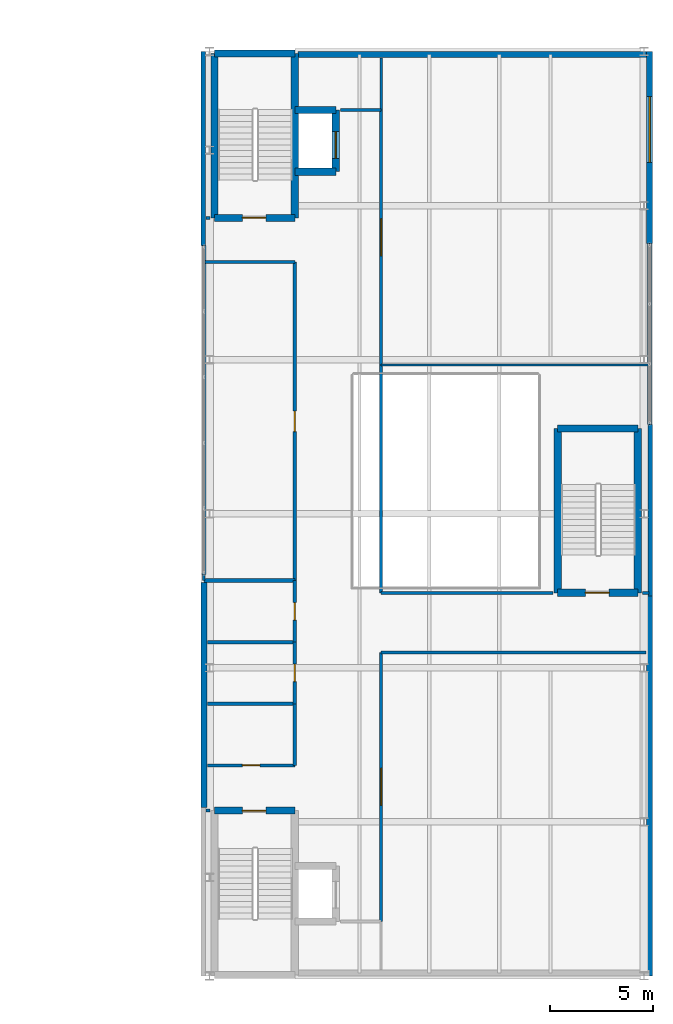
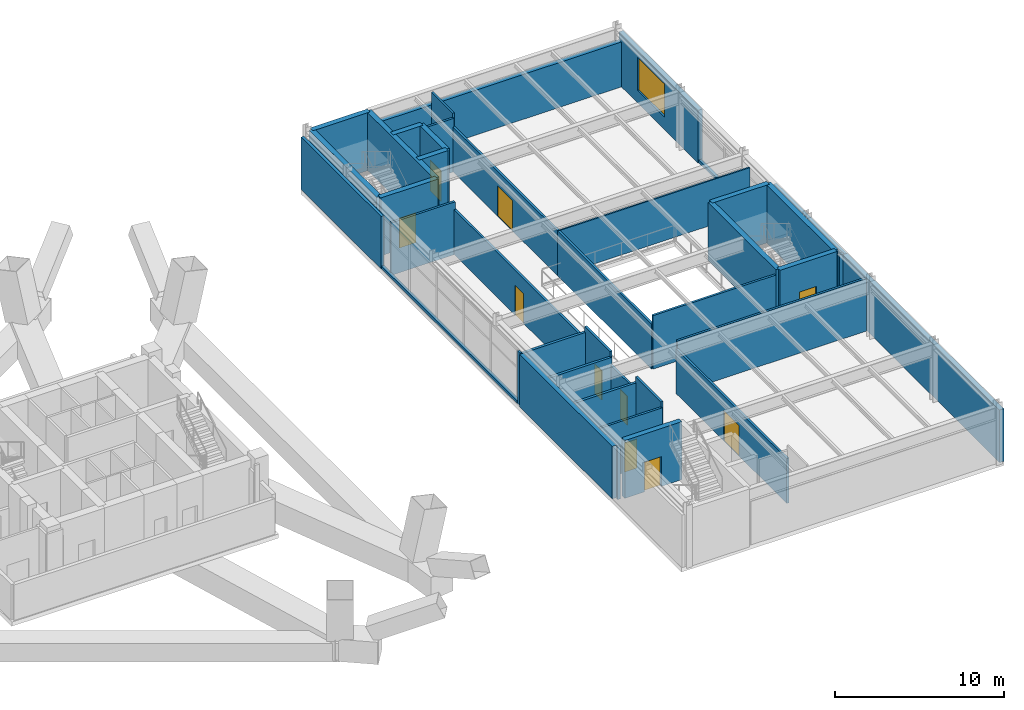
# One storey, part 13 of 16: 41 walls, 10 doors, 1 window, 11 openings.
"""IFC4 building model written with IfcOpenShell, lengths in metres."""

from ifc_helpers import new_model, si_unit, direction, frame, frame_2d, origin, place, context, subcontext, project, spatial, rectangle, extrude, material, layer, layer_set, type_object, element, fill, save


model = new_model("IFC4")

# Units and contexts
model_context = context("Model", 3, precision=1e-05, world=origin(), true_north=direction((0.0, 1.0)))
body_context = subcontext(model_context, "Body", "Model", "MODEL_VIEW")
ifc_project = project(units=[si_unit("LENGTHUNIT", "METRE"), si_unit("AREAUNIT", "SQUARE_METRE"), si_unit("VOLUMEUNIT", "CUBIC_METRE"), si_unit("PLANEANGLEUNIT", "RADIAN"), si_unit("MASSUNIT", "GRAM", prefix="KILO")], contexts=[model_context])

# Site, building, storey
site_placement = place(None, origin())
site = spatial("IfcSite", under=ifc_project, at=site_placement, CompositionType="ELEMENT")
building_placement = place(site_placement, origin())
building = spatial("IfcBuilding", under=site, at=building_placement, Name="Mersakhor Tower and Convention Hall", CompositionType="ELEMENT")
storey_placement = place(building_placement, frame((0.0, 0.0, 5.10009765625)))
storey = spatial("IfcBuildingStorey", under=building, at=storey_placement, Name="L01", CompositionType="ELEMENT", Elevation=5.10009765625)

# Walls
ifc_material_1 = material(Name="Precast concrete C45/55", Category="concrete")
ifc_layer_1 = layer(ifc_material_1, 0.300048828125)
ifc_layer_set_1 = layer_set([ifc_layer_1], Name="Precast concrete C45/55")
wall_type_1 = type_object("IfcWallType", Name="WL-EXT-300", PredefinedType="SOLIDWALL", material=ifc_layer_set_1)
wall_1_placement = place(storey_placement, frame((55.22509765625, 11.449951171875, 0.0), z_axis=(0.0, 0.0, 1.0), x_axis=(0.0, 1.0, 0.0)))
element("IfcWall", 1, at=wall_1_placement, inside=storey, type_object=wall_type_1, Name="Convention L01 Precast Facade Wall W1", PredefinedType="SOLIDWALL", context=body_context, shape_type="SweptSolid", body=[
    extrude(rectangle(XDim=10.949951171875, YDim=0.300048828125, at=frame_2d((5.47509765625, 0.0))), origin(), (0.0, 0.0, 1.0), 3.789794921875),
])
wall_2_placement = place(storey_placement, frame((59.800048828125, 48.10009765625, 0.0), z_axis=(0.0, 0.0, 1.0), x_axis=(1.0, 0.0, 0.0)))
element("IfcWall", 2, at=wall_2_placement, inside=storey, type_object=wall_type_1, Name="Convention L01 Precast Facade Wall N1", PredefinedType="SOLIDWALL", context=body_context, shape_type="SweptSolid", body=[
    extrude(rectangle(XDim=17.125, YDim=0.300048828125, at=frame_2d((8.5625, 0.0))), origin(), (0.0, 0.0, 1.0), 3.23828125),
])

# Wall, opening, window
wall_3_placement = place(storey_placement, frame((76.925048828125, 48.25, 0.0), z_axis=(0.0, 0.0, 1.0), x_axis=(0.0, -1.0, 0.0)))
wall_3 = element("IfcWall", 3, at=wall_3_placement, inside=storey, type_object=wall_type_1, Name="Convention L01 Precast Facade Wall E1", PredefinedType="SOLIDWALL", context=body_context, shape_type="SweptSolid", body=[
    extrude(rectangle(XDim=9.35009765625, YDim=0.300048828125, at=frame_2d((4.675048828125, 0.0))), origin(), (0.0, 0.0, 1.0), 3.789794921875),
])
opening_1_placement = place(wall_3_placement, frame((2.199951171875, 0.0, 0.89990234375)))
opening_1 = element("IfcOpeningElement", 4, at=opening_1_placement, cuts=wall_3, Name="Opening W-11", PredefinedType="OPENING", context=body_context, shape_type="SweptSolid", body=[
    extrude(rectangle(XDim=3.199951171875, YDim=2.39990234375, at=frame_2d((1.60009765625, 1.199951171875))), frame((0.0, 0.159912109375, 0.0), z_axis=(0.0, -1.0, 0.0), x_axis=(1.0, 0.0, 0.0)), (0.0, 0.0, 1.0), 0.320068359375),
])
ifc_material_2 = material(Name="Dark solar low-E glazed aluminium window", Category="aluminium")
window_type = type_object("IfcWindowType", Name="WN-CNV-320x240", PartitioningType="SINGLE_PANEL", PredefinedType="WINDOW", material=ifc_material_2)
window_placement = place(opening_1_placement, origin())
window = element("IfcWindow", 5, at=window_placement, inside=storey, type_object=window_type, Name="Convention L01 Punched Facade Window E1", OverallHeight=2.39990234375, OverallWidth=3.199951171875, PartitioningType="SINGLE_PANEL", PredefinedType="WINDOW", context=body_context, shape_type="SweptSolid", body=[
    extrude(rectangle(XDim=3.199951171875, YDim=2.39990234375, at=frame_2d((1.60009765625, 1.199951171875))), frame((0.0, 0.030029296875, 0.0), z_axis=(0.0, -1.0, 0.0), x_axis=(1.0, 0.0, 0.0)), (0.0, 0.0, 1.0), 0.06005859375),
])
fill(opening_1, window)

# Walls
wall_4_placement = place(storey_placement, frame((76.925048828125, 21.75, 0.0), z_axis=(0.0, 0.0, 1.0), x_axis=(0.0, -1.0, 0.0)))
element("IfcWall", 6, at=wall_4_placement, inside=storey, type_object=wall_type_1, Name="Convention L01 Precast Facade Wall E2", PredefinedType="SOLIDWALL", context=body_context, shape_type="SweptSolid", body=[
    extrude(rectangle(XDim=18.5, YDim=0.300048828125, at=frame_2d((9.25, 0.0))), origin(), (0.0, 0.0, 1.0), 3.789794921875),
])
ifc_material_3 = material(Name="Precast concrete C40/50", Category="concrete")
ifc_layer_2 = layer(ifc_material_3, 0.199951171875)
ifc_layer_set_2 = layer_set([ifc_layer_2], Name="Precast concrete C40/50")
wall_type_2 = type_object("IfcWallType", Name="WL-PAR-200", PredefinedType="PARAPET", material=ifc_layer_set_2)
wall_5_placement = place(storey_placement, frame((55.195068359375, 38.800048828125, 0.0), z_axis=(0.0, 0.0, 1.0), x_axis=(0.0, 1.0, 0.0)))
element("IfcWall", 7, at=wall_5_placement, inside=storey, type_object=wall_type_2, Name="Convention L01 Stair Core Facade Cladding WC2", PredefinedType="PARAPET", context=body_context, shape_type="SweptSolid", body=[
    extrude(rectangle(XDim=9.449951171875, YDim=0.199951171875, at=frame_2d((4.72509765625, 0.0))), origin(), (0.0, 0.0, 1.0), 3.789794921875),
])
wall_6_placement = place(storey_placement, frame((76.955078125, 30.10009765625, 0.0), z_axis=(0.0, 0.0, 1.0), x_axis=(0.0, -1.0, 0.0)))
element("IfcWall", 8, at=wall_6_placement, inside=storey, type_object=wall_type_2, Name="Convention L01 Stair Core Facade Cladding EC3", PredefinedType="PARAPET", context=body_context, shape_type="SweptSolid", body=[
    extrude(rectangle(XDim=8.35009765625, YDim=0.199951171875, at=frame_2d((4.175048828125, 0.0))), origin(), (0.0, 0.0, 1.0), 3.789794921875),
])
wall_7_placement = place(storey_placement, frame((55.22509765625, 22.800048828125, 0.0), z_axis=(0.0, 0.0, 1.0), x_axis=(0.0, 1.0, 0.0)))
element("IfcWall", 9, at=wall_7_placement, inside=storey, type_object=wall_type_2, Name="Convention L01 West Curtain Wall Upstand", PredefinedType="PARAPET", context=body_context, shape_type="SweptSolid", body=[
    extrude(rectangle(XDim=16.0, YDim=0.199951171875, at=frame_2d((8.0, 0.0))), origin(), (0.0, 0.0, 1.0), 0.199951171875),
])
wall_8_placement = place(storey_placement, frame((76.925048828125, 38.89990234375, 0.0), z_axis=(0.0, 0.0, 1.0), x_axis=(0.0, -1.0, 0.0)))
element("IfcWall", 10, at=wall_8_placement, inside=storey, type_object=wall_type_2, Name="Convention L01 East Curtain Wall Upstand", PredefinedType="PARAPET", context=body_context, shape_type="SweptSolid", body=[
    extrude(rectangle(XDim=8.7998046875, YDim=0.199951171875, at=frame_2d((4.39990234375, 0.0))), origin(), (0.0, 0.0, 1.0), 0.199951171875),
])
ifc_material_4 = material(Name="Moisture-resistant acoustic drywall studwork", Category="other")
ifc_layer_3 = layer(ifc_material_4, 0.175048828125)
ifc_layer_set_3 = layer_set([ifc_layer_3], Name="Moisture-resistant acoustic drywall studwork")
wall_type_3 = type_object("IfcWallType", Name="WL-PLM-175", PredefinedType="PLUMBINGWALL", material=ifc_layer_set_3)
for number, where, z_axis, x_axis, name in (
    (11, (55.39892578125, 16.5, 0.0), (0.0, 0.0, 1.0), (1.0, 0.0, 0.0), "L01 Interior Partition Wall P-050"),
    (12, (55.39892578125, 19.5, 0.0), (0.0, 0.0, 1.0), (1.0, 0.0, 0.0), "L01 Interior Partition Wall P-051"),
):
    element("IfcWall", number, at=place(storey_placement, frame(where, z_axis=z_axis, x_axis=x_axis)), inside=storey, type_object=wall_type_3, Name=name, PredefinedType="PLUMBINGWALL", context=body_context, shape_type="SweptSolid", body=[
        extrude(rectangle(XDim=4.2509765625, YDim=0.175048828125, at=frame_2d((2.12548828125, 0.0))), origin(), (0.0, 0.0, 1.0), 3.789794921875),
    ])
wall_9_placement = place(storey_placement, frame((55.22509765625, 22.5, 0.0), z_axis=(0.0, 0.0, 1.0), x_axis=(1.0, 0.0, 0.0)))
element("IfcWall", 13, at=wall_9_placement, inside=storey, type_object=wall_type_3, Name="L01 Interior Partition Wall P-052", PredefinedType="PLUMBINGWALL", context=body_context, shape_type="SweptSolid", body=[
    extrude(rectangle(XDim=4.4248046875, YDim=0.175048828125, at=frame_2d((2.21240234375, 0.0))), origin(), (0.0, 0.0, 1.0), 3.789794921875),
])
ifc_material_5 = material(Name="Lightweight gypsum partition", Category="other")
ifc_layer_4 = layer(ifc_material_5, 0.10009765625)
ifc_layer_set_4 = layer_set([ifc_layer_4], Name="Lightweight gypsum partition")
wall_type_4 = type_object("IfcWallType", Name="WL-PRT-100", PredefinedType="PARTITIONING", material=ifc_layer_set_4)
wall_10_placement = place(storey_placement, frame((76.87890625, 33.0, 0.0), z_axis=(0.0, 0.0, 1.0), x_axis=(-1.0, 0.0, 0.0)))
element("IfcWall", 14, at=wall_10_placement, inside=storey, type_object=wall_type_4, Name="L01 Interior Partition Wall P-056", PredefinedType="PARTITIONING", context=body_context, shape_type="SweptSolid", body=[
    extrude(rectangle(XDim=13.02880859375, YDim=0.10009765625, at=frame_2d((6.514404296875, 0.0))), origin(), (0.0, 0.0, 1.0), 3.23828125),
])
ifc_material_6 = material(Name="Gypsum board acoustic partition", Category="other")
ifc_layer_5 = layer(ifc_material_6, 0.125)
ifc_layer_set_5 = layer_set([ifc_layer_5], Name="Gypsum board acoustic partition")
wall_type_5 = type_object("IfcWallType", Name="WL-PRT-125", PredefinedType="PARTITIONING", material=ifc_layer_set_5)
wall_11_placement = place(storey_placement, frame((55.22509765625, 22.5, 0.0), z_axis=(0.0, 0.0, 1.0), x_axis=(0.0, 1.0, 0.0)))
element("IfcWall", 15, at=wall_11_placement, inside=storey, type_object=wall_type_5, Name="L01 Interior Partition Wall P-053", PredefinedType="PARTITIONING", context=body_context, shape_type="SweptSolid", body=[
    extrude(rectangle(XDim=0.300048828125, YDim=0.125, at=frame_2d((0.14990234375, 0.0))), origin(), (0.0, 0.0, 1.0), 3.789794921875),
])
wall_12_placement = place(storey_placement, frame((63.85009765625, 45.39990234375, 0.0), z_axis=(0.0, 0.0, 1.0), x_axis=(0.0, 1.0, 0.0)))
element("IfcWall", 16, at=wall_12_placement, inside=storey, type_object=wall_type_5, Name="L01 Interior Partition Wall P-055", PredefinedType="PARTITIONING", context=body_context, shape_type="SweptSolid", body=[
    extrude(rectangle(XDim=2.526123046875, YDim=0.125, at=frame_2d((1.26318359375, 0.0))), origin(), (0.0, 0.0, 1.0), 4.179931640625),
])
ifc_material_7 = material(Name="Fire-rated gypsum board stud partition", Category="other")
ifc_layer_6 = layer(ifc_material_7, 0.14990234375)
ifc_layer_set_6 = layer_set([ifc_layer_6], Name="Fire-rated gypsum board stud partition")
wall_type_6 = type_object("IfcWallType", Name="WL-PRT-150", PredefinedType="PARTITIONING", material=ifc_layer_set_6)
wall_13_placement = place(storey_placement, frame((55.52490234375, 11.300048828125, 0.0), z_axis=(0.0, 0.0, 1.0), x_axis=(-1.0, 0.0, 0.0)))
element("IfcWall", 17, at=wall_13_placement, inside=storey, type_object=wall_type_6, Name="L01 Interior Partition Wall P-019", PredefinedType="PARTITIONING", context=body_context, shape_type="SweptSolid", body=[
    extrude(rectangle(XDim=0.205810546875, YDim=0.14990234375, at=frame_2d((0.10302734375, 0.0))), origin(), (0.0, 0.0, 1.0), 3.789794921875),
])

# Wall, opening, door
wall_14_placement = place(storey_placement, frame((55.39892578125, 13.5, 0.0), z_axis=(0.0, 0.0, 1.0), x_axis=(1.0, 0.0, 0.0)))
wall_14 = element("IfcWall", 18, at=wall_14_placement, inside=storey, type_object=wall_type_6, Name="L01 Interior Partition Wall P-020", PredefinedType="PARTITIONING", context=body_context, shape_type="SweptSolid", body=[
    extrude(rectangle(XDim=4.2509765625, YDim=0.14990234375, at=frame_2d((2.12548828125, 0.0))), origin(), (0.0, 0.0, 1.0), 3.789794921875),
])
opening_2_placement = place(wall_14_placement, frame((1.700439453125, 0.0, 0.0)))
opening_2 = element("IfcOpeningElement", 19, at=opening_2_placement, cuts=wall_14, Name="Opening SVD-01", PredefinedType="OPENING", context=body_context, shape_type="SweptSolid", body=[
    extrude(rectangle(XDim=0.85009765625, YDim=2.10009765625, at=frame_2d((0.425048828125, 1.050048828125))), frame((0.0, 0.0849609375, 0.0), z_axis=(0.0, -1.0, 0.0), x_axis=(1.0, 0.0, 0.0)), (0.0, 0.0, 1.0), 0.169921875),
])
ifc_material_8 = material(Name="Fire-rated hardwood leaf and painted steel frame", Category="steel")
door_type_1 = type_object("IfcDoorType", Name="DR-INT-SVC-085x210", OperationType="NOTDEFINED", PredefinedType="DOOR", material=ifc_material_8)
door_1_placement = place(opening_2_placement, origin())
door_1 = element("IfcDoor", 20, at=door_1_placement, inside=storey, type_object=door_type_1, Name="L01 Convention Hall Concourse Corridor to Convention Public Male Toilets Door", OperationType="SINGLE_SWING_LEFT", OverallHeight=2.10009765625, OverallWidth=0.85009765625, PredefinedType="DOOR", context=body_context, shape_type="SweptSolid", body=[
    extrude(rectangle(XDim=0.85009765625, YDim=2.10009765625, at=frame_2d((0.425048828125, 1.050048828125))), frame((0.0, 0.02490234375, 0.0), z_axis=(0.0, -1.0, 0.0), x_axis=(1.0, 0.0, 0.0)), (0.0, 0.0, 1.0), 0.050048828125),
])
fill(opening_2, door_1)

# Wall
wall_15_placement = place(storey_placement, frame((59.64990234375, 13.5, 0.0), z_axis=(0.0, 0.0, 1.0), x_axis=(0.0, 1.0, 0.0)))
element("IfcWall", 21, at=wall_15_placement, inside=storey, type_object=wall_type_6, Name="L01 Interior Partition Wall P-021", PredefinedType="PARTITIONING", context=body_context, shape_type="SweptSolid", body=[
    extrude(rectangle(XDim=3.0, YDim=0.14990234375, at=frame_2d((1.5, 0.0))), origin(), (0.0, 0.0, 1.0), 4.179931640625),
])

# Wall, opening, door
wall_16_placement = place(storey_placement, frame((59.64990234375, 16.5, 0.0), z_axis=(0.0, 0.0, 1.0), x_axis=(0.0, 1.0, 0.0)))
wall_16 = element("IfcWall", 22, at=wall_16_placement, inside=storey, type_object=wall_type_6, Name="L01 Interior Partition Wall P-022", PredefinedType="PARTITIONING", context=body_context, shape_type="SweptSolid", body=[
    extrude(rectangle(XDim=3.0, YDim=0.14990234375, at=frame_2d((1.5, 0.0))), origin(), (0.0, 0.0, 1.0), 3.23828125),
])
opening_3_placement = place(wall_16_placement, frame((1.074951171875, 0.0, 0.0)))
opening_3 = element("IfcOpeningElement", 23, at=opening_3_placement, cuts=wall_16, Name="Opening SVD-01", PredefinedType="OPENING", context=body_context, shape_type="SweptSolid", body=[
    extrude(rectangle(XDim=0.85009765625, YDim=2.10009765625, at=frame_2d((0.425048828125, 1.050048828125))), frame((0.0, 0.0849609375, 0.0), z_axis=(0.0, -1.0, 0.0), x_axis=(1.0, 0.0, 0.0)), (0.0, 0.0, 1.0), 0.169921875),
])
door_2_placement = place(opening_3_placement, origin())
door_2 = element("IfcDoor", 24, at=door_2_placement, inside=storey, type_object=door_type_1, Name="L01 Convention Hall Concourse Corridor to Convention Public Female Toilets Door", OperationType="SINGLE_SWING_RIGHT", OverallHeight=2.10009765625, OverallWidth=0.85009765625, PredefinedType="DOOR", context=body_context, shape_type="SweptSolid", body=[
    extrude(rectangle(XDim=0.85009765625, YDim=2.10009765625, at=frame_2d((0.425048828125, 1.050048828125))), frame((0.0, 0.02490234375, 0.0), z_axis=(0.0, -1.0, 0.0), x_axis=(1.0, 0.0, 0.0)), (0.0, 0.0, 1.0), 0.050048828125),
])
fill(opening_3, door_2)

wall_17_placement = place(storey_placement, frame((59.64990234375, 19.5, 0.0), z_axis=(0.0, 0.0, 1.0), x_axis=(0.0, 1.0, 0.0)))
wall_17 = element("IfcWall", 25, at=wall_17_placement, inside=storey, type_object=wall_type_6, Name="L01 Interior Partition Wall P-023", PredefinedType="PARTITIONING", context=body_context, shape_type="SweptSolid", body=[
    extrude(rectangle(XDim=3.0, YDim=0.14990234375, at=frame_2d((1.5, 0.0))), origin(), (0.0, 0.0, 1.0), 4.179931640625),
])
opening_4_placement = place(wall_17_placement, frame((1.074951171875, 0.0, 0.0)))
opening_4 = element("IfcOpeningElement", 26, at=opening_4_placement, cuts=wall_17, Name="Opening SVD-01", PredefinedType="OPENING", context=body_context, shape_type="SweptSolid", body=[
    extrude(rectangle(XDim=0.85009765625, YDim=2.10009765625, at=frame_2d((0.425048828125, 1.050048828125))), frame((0.0, 0.0849609375, 0.0), z_axis=(0.0, -1.0, 0.0), x_axis=(1.0, 0.0, 0.0)), (0.0, 0.0, 1.0), 0.169921875),
])
door_3_placement = place(opening_4_placement, origin())
door_3 = element("IfcDoor", 27, at=door_3_placement, inside=storey, type_object=door_type_1, Name="L01 Convention Hall Concourse Corridor to Convention Accessible Toilet WC Door", OperationType="SINGLE_SWING_LEFT", OverallHeight=2.10009765625, OverallWidth=0.85009765625, PredefinedType="DOOR", context=body_context, shape_type="SweptSolid", body=[
    extrude(rectangle(XDim=0.85009765625, YDim=2.10009765625, at=frame_2d((0.425048828125, 1.050048828125))), frame((0.0, 0.02490234375, 0.0), z_axis=(0.0, -1.0, 0.0), x_axis=(1.0, 0.0, 0.0)), (0.0, 0.0, 1.0), 0.050048828125),
])
fill(opening_4, door_3)

wall_18_placement = place(storey_placement, frame((59.64990234375, 22.5, 0.0), z_axis=(0.0, 0.0, 1.0), x_axis=(0.0, 1.0, 0.0)))
wall_18 = element("IfcWall", 28, at=wall_18_placement, inside=storey, type_object=wall_type_6, Name="L01 Interior Partition Wall P-024", PredefinedType="PARTITIONING", context=body_context, shape_type="SweptSolid", body=[
    extrude(rectangle(XDim=15.5, YDim=0.14990234375, at=frame_2d((7.75, 0.0))), origin(), (0.0, 0.0, 1.0), 3.23828125),
])
opening_5_placement = place(wall_18_placement, frame((7.25, 0.0, 0.0)))
opening_5 = element("IfcOpeningElement", 29, at=opening_5_placement, cuts=wall_18, Name="Opening FD-01", PredefinedType="OPENING", context=body_context, shape_type="SweptSolid", body=[
    extrude(rectangle(XDim=1.0, YDim=2.14990234375, at=frame_2d((0.5, 1.074951171875))), frame((0.0, 0.0849609375, 0.0), z_axis=(0.0, -1.0, 0.0), x_axis=(1.0, 0.0, 0.0)), (0.0, 0.0, 1.0), 0.169921875),
])
ifc_material_9 = material(Name="Fire-rated hardwood leaf and painted steel frame", Category="steel")
door_type_2 = type_object("IfcDoorType", Name="DR-INT-FLT-100x215", OperationType="NOTDEFINED", PredefinedType="DOOR", material=ifc_material_9)
door_4_placement = place(opening_5_placement, origin())
door_4 = element("IfcDoor", 30, at=door_4_placement, inside=storey, type_object=door_type_2, Name="L01 Convention Hall Concourse Corridor to VIP Majlis Reception Lounge Door", OperationType="SINGLE_SWING_RIGHT", OverallHeight=2.14990234375, OverallWidth=1.0, PredefinedType="DOOR", context=body_context, shape_type="SweptSolid", body=[
    extrude(rectangle(XDim=1.0, YDim=2.14990234375, at=frame_2d((0.5, 1.074951171875))), frame((0.0, 0.02490234375, 0.0), z_axis=(0.0, -1.0, 0.0), x_axis=(1.0, 0.0, 0.0)), (0.0, 0.0, 1.0), 0.050048828125),
])
fill(opening_5, door_4)

# Walls
wall_19_placement = place(storey_placement, frame((59.64990234375, 38.0, 0.0), z_axis=(0.0, 0.0, 1.0), x_axis=(-1.0, 0.0, 0.0)))
element("IfcWall", 31, at=wall_19_placement, inside=storey, type_object=wall_type_6, Name="L01 Interior Partition Wall P-025", PredefinedType="PARTITIONING", context=body_context, shape_type="SweptSolid", body=[
    extrude(rectangle(XDim=4.37890625, YDim=0.14990234375, at=frame_2d((2.189453125, 0.0))), origin(), (0.0, 0.0, 1.0), 3.789794921875),
])
wall_20_placement = place(storey_placement, frame((55.319091796875, 40.14990234375, 0.0), z_axis=(0.0, 0.0, 1.0), x_axis=(1.0, 0.0, 0.0)))
element("IfcWall", 32, at=wall_20_placement, inside=storey, type_object=wall_type_6, Name="L01 Interior Partition Wall P-026", PredefinedType="PARTITIONING", context=body_context, shape_type="SweptSolid", body=[
    extrude(rectangle(XDim=0.205810546875, YDim=0.14990234375, at=frame_2d((0.10302734375, 0.0))), origin(), (0.0, 0.0, 1.0), 3.789794921875),
])
wall_21_placement = place(storey_placement, frame((61.875, 45.39990234375, 0.0), z_axis=(0.0, 0.0, 1.0), x_axis=(1.0, 0.0, 0.0)))
element("IfcWall", 33, at=wall_21_placement, inside=storey, type_object=wall_type_6, Name="L01 Interior Partition Wall P-027", PredefinedType="PARTITIONING", context=body_context, shape_type="SweptSolid", body=[
    extrude(rectangle(XDim=1.97509765625, YDim=0.14990234375, at=frame_2d((0.987548828125, 0.0))), origin(), (0.0, 0.0, 1.0), 3.8583984375),
])

# Wall, opening, door
wall_22_placement = place(storey_placement, frame((63.85009765625, 45.39990234375, 0.0), z_axis=(0.0, 0.0, 1.0), x_axis=(0.0, -1.0, 0.0)))
wall_22 = element("IfcWall", 34, at=wall_22_placement, inside=storey, type_object=wall_type_6, Name="L01 Interior Partition Wall P-028", PredefinedType="PARTITIONING", context=body_context, shape_type="SweptSolid", body=[
    extrude(rectangle(XDim=12.39990234375, YDim=0.14990234375, at=frame_2d((6.199951171875, 0.0))), origin(), (0.0, 0.0, 1.0), 3.23828125),
])
opening_6_placement = place(wall_22_placement, frame((5.300048828125, 0.0, 0.0)))
opening_6 = element("IfcOpeningElement", 35, at=opening_6_placement, cuts=wall_22, Name="Opening HD-01", PredefinedType="OPENING", context=body_context, shape_type="SweptSolid", body=[
    extrude(rectangle(XDim=1.800048828125, YDim=2.199951171875, at=frame_2d((0.89990234375, 1.10009765625))), frame((0.0, 0.0849609375, 0.0), z_axis=(0.0, -1.0, 0.0), x_axis=(1.0, 0.0, 0.0)), (0.0, 0.0, 1.0), 0.169921875),
])
ifc_material_10 = material(Name="Fire-rated hardwood leaf and painted steel frame", Category="steel")
door_type_3 = type_object("IfcDoorType", Name="DR-INT-HALL-180x220", OperationType="NOTDEFINED", PredefinedType="DOOR", material=ifc_material_10)
door_5_placement = place(opening_6_placement, origin())
door_5 = element("IfcDoor", 36, at=door_5_placement, inside=storey, type_object=door_type_3, Name="L01 Convention Hall Concourse Corridor to Breakout Seminar Suite 2 Door", OperationType="DOUBLE_DOOR_SINGLE_SWING", OverallHeight=2.199951171875, OverallWidth=1.800048828125, PredefinedType="DOOR", context=body_context, shape_type="SweptSolid", body=[
    extrude(rectangle(XDim=1.800048828125, YDim=2.199951171875, at=frame_2d((0.89990234375, 1.10009765625))), frame((0.0, 0.02490234375, 0.0), z_axis=(0.0, -1.0, 0.0), x_axis=(1.0, 0.0, 0.0)), (0.0, 0.0, 1.0), 0.050048828125),
])
fill(opening_6, door_5)

# Walls
wall_23_placement = place(storey_placement, frame((63.85009765625, 33.0, 0.0), z_axis=(0.0, 0.0, 1.0), x_axis=(0.0, -1.0, 0.0)))
element("IfcWall", 37, at=wall_23_placement, inside=storey, type_object=wall_type_6, Name="L01 Interior Partition Wall P-029", PredefinedType="PARTITIONING", context=body_context, shape_type="SweptSolid", body=[
    extrude(rectangle(XDim=11.10009765625, YDim=0.14990234375, at=frame_2d((5.550048828125, 0.0))), origin(), (0.0, 0.0, 1.0), 3.23828125),
])
wall_24_placement = place(storey_placement, frame((63.85009765625, 21.89990234375, 0.0), z_axis=(0.0, 0.0, 1.0), x_axis=(1.0, 0.0, 0.0)))
element("IfcWall", 38, at=wall_24_placement, inside=storey, type_object=wall_type_6, Name="L01 Interior Partition Wall P-030", PredefinedType="PARTITIONING", context=body_context, shape_type="SweptSolid", body=[
    extrude(rectangle(XDim=8.375, YDim=0.14990234375, at=frame_2d((4.1875, 0.0))), origin(), (0.0, 0.0, 1.0), 3.8583984375),
])
wall_25_placement = place(storey_placement, frame((76.574951171875, 21.89990234375, 0.0), z_axis=(0.0, 0.0, 1.0), x_axis=(1.0, 0.0, 0.0)))
element("IfcWall", 39, at=wall_25_placement, inside=storey, type_object=wall_type_6, Name="L01 Interior Partition Wall P-031", PredefinedType="PARTITIONING", context=body_context, shape_type="SweptSolid", body=[
    extrude(rectangle(XDim=0.320068359375, YDim=0.14990234375, at=frame_2d((0.16015625, 0.0))), origin(), (0.0, 0.0, 1.0), 3.789794921875),
])
wall_26_placement = place(storey_placement, frame((76.7509765625, 19.0, 0.0), z_axis=(0.0, 0.0, 1.0), x_axis=(-1.0, 0.0, 0.0)))
element("IfcWall", 40, at=wall_26_placement, inside=storey, type_object=wall_type_6, Name="L01 Interior Partition Wall P-032", PredefinedType="PARTITIONING", context=body_context, shape_type="SweptSolid", body=[
    extrude(rectangle(XDim=12.90087890625, YDim=0.14990234375, at=frame_2d((6.450439453125, 0.0))), origin(), (0.0, 0.0, 1.0), 3.789794921875),
])

# Wall, opening, door
wall_27_placement = place(storey_placement, frame((63.85009765625, 19.0, 0.0), z_axis=(0.0, 0.0, 1.0), x_axis=(0.0, -1.0, 0.0)))
wall_27 = element("IfcWall", 41, at=wall_27_placement, inside=storey, type_object=wall_type_6, Name="L01 Interior Partition Wall P-033", PredefinedType="PARTITIONING", context=body_context, shape_type="SweptSolid", body=[
    extrude(rectangle(XDim=13.10009765625, YDim=0.14990234375, at=frame_2d((6.550048828125, 0.0))), origin(), (0.0, 0.0, 1.0), 3.23828125),
])
opening_7_placement = place(wall_27_placement, frame((5.64990234375, 0.0, 0.0)))
opening_7 = element("IfcOpeningElement", 42, at=opening_7_placement, cuts=wall_27, Name="Opening HD-01", PredefinedType="OPENING", context=body_context, shape_type="SweptSolid", body=[
    extrude(rectangle(XDim=1.800048828125, YDim=2.199951171875, at=frame_2d((0.89990234375, 1.10009765625))), frame((0.0, 0.0849609375, 0.0), z_axis=(0.0, -1.0, 0.0), x_axis=(1.0, 0.0, 0.0)), (0.0, 0.0, 1.0), 0.169921875),
])
door_6_placement = place(opening_7_placement, origin())
door_6 = element("IfcDoor", 43, at=door_6_placement, inside=storey, type_object=door_type_3, Name="L01 Convention Hall Concourse Corridor to Breakout Conference Suite 1 Door", OperationType="DOUBLE_DOOR_SINGLE_SWING", OverallHeight=2.199951171875, OverallWidth=1.800048828125, PredefinedType="DOOR", context=body_context, shape_type="SweptSolid", body=[
    extrude(rectangle(XDim=1.800048828125, YDim=2.199951171875, at=frame_2d((0.89990234375, 1.10009765625))), frame((0.0, 0.02490234375, 0.0), z_axis=(0.0, -1.0, 0.0), x_axis=(1.0, 0.0, 0.0)), (0.0, 0.0, 1.0), 0.050048828125),
])
fill(opening_7, door_6)

ifc_material_11 = material(Name="Concrete C50/60", Category="concrete")
ifc_layer_7 = layer(ifc_material_11, 0.35009765625)
ifc_layer_set_7 = layer_set([ifc_layer_7], Name="Concrete C50/60")
wall_type_7 = type_object("IfcWallType", Name="WL-SHR-350", PredefinedType="SHEAR", material=ifc_layer_set_7)
wall_28_placement = place(storey_placement, frame((61.64990234375, 42.39990234375, 0.0), z_axis=(0.0, 0.0, 1.0), x_axis=(0.0, 1.0, 0.0)))
wall_28 = element("IfcWall", 44, at=wall_28_placement, inside=storey, type_object=wall_type_7, Name="L01 CVL2 Shaft Front Wall", PredefinedType="SHEAR", context=body_context, shape_type="SweptSolid", body=[
    extrude(rectangle(XDim=3.0, YDim=0.35009765625, at=frame_2d((1.5, 0.0))), origin(), (0.0, 0.0, 1.0), 4.179931640625),
])
opening_8_placement = place(wall_28_placement, frame((0.64990234375, 0.0, 0.0)))
opening_8 = element("IfcOpeningElement", 45, at=opening_8_placement, cuts=wall_28, Name="Opening LD-CVL2", PredefinedType="OPENING", context=body_context, shape_type="SweptSolid", body=[
    extrude(rectangle(XDim=1.300048828125, YDim=2.199951171875, at=frame_2d((0.64990234375, 1.10009765625))), frame((0.0, 0.18505859375, 0.0), z_axis=(0.0, -1.0, 0.0), x_axis=(1.0, 0.0, 0.0)), (0.0, 0.0, 1.0), 0.3701171875),
])
ifc_material_12 = material(Name="Fire-rated brushed stainless steel sliding landing door", Category="steel")
door_type_4 = type_object("IfcDoorType", Name="DR-LIFT-SLD-130x220", OperationType="NOTDEFINED", PredefinedType="DOOR", material=ifc_material_12)
door_7_placement = place(opening_8_placement, origin())
door_7 = element("IfcDoor", 46, at=door_7_placement, inside=storey, type_object=door_type_4, Name="L01 Convention Lift Landing Door LD-CVL2", OperationType="SLIDING_TO_LEFT", OverallHeight=2.199951171875, OverallWidth=1.300048828125, PredefinedType="DOOR", context=body_context, shape_type="SweptSolid", body=[
    extrude(rectangle(XDim=1.300048828125, YDim=2.199951171875, at=frame_2d((0.64990234375, 1.10009765625))), frame((0.0, 0.02490234375, 0.0), z_axis=(0.0, -1.0, 0.0), x_axis=(1.0, 0.0, 0.0)), (0.0, 0.0, 1.0), 0.050048828125),
])
fill(opening_8, door_7)

# Walls
for number, where, z_axis, x_axis, name in (
    (47, (59.64990234375, 45.39990234375, 0.0), (0.0, 0.0, 1.0), (1.0, 0.0, 0.0), "L01 CVL2 Shaft North Wall"),
    (48, (59.64990234375, 42.39990234375, 0.0), (0.0, 0.0, 1.0), (1.0, 0.0, 0.0), "L01 CVL2 Shaft South Wall"),
):
    element("IfcWall", number, at=place(storey_placement, frame(where, z_axis=z_axis, x_axis=x_axis)), inside=storey, type_object=wall_type_7, Name=name, PredefinedType="SHEAR", context=body_context, shape_type="SweptSolid", body=[
        extrude(rectangle(XDim=2.0, YDim=0.35009765625, at=frame_2d((1.0, 0.0))), origin(), (0.0, 0.0, 1.0), 4.179931640625),
    ])

# Wall, opening, door
wall_29_placement = place(storey_placement, frame((55.75, 11.300048828125, 0.0), z_axis=(0.0, 0.0, 1.0), x_axis=(1.0, 0.0, 0.0)))
wall_29 = element("IfcWall", 49, at=wall_29_placement, inside=storey, type_object=wall_type_7, Name="L01 CHST1 North Shear Wall", PredefinedType="SHEAR", context=body_context, shape_type="SweptSolid", body=[
    extrude(rectangle(XDim=3.89990234375, YDim=0.35009765625, at=frame_2d((1.949951171875, 0.0))), origin(), (0.0, 0.0, 1.0), 4.179931640625),
])
opening_9_placement = place(wall_29_placement, frame((1.35009765625, 0.0, 0.0)))
opening_9 = element("IfcOpeningElement", 50, at=opening_9_placement, cuts=wall_29, Name="Opening SD-01", PredefinedType="OPENING", context=body_context, shape_type="SweptSolid", body=[
    extrude(rectangle(XDim=1.14990234375, YDim=2.14990234375, at=frame_2d((0.574951171875, 1.074951171875))), frame((0.0, 0.18505859375, 0.0), z_axis=(0.0, -1.0, 0.0), x_axis=(1.0, 0.0, 0.0)), (0.0, 0.0, 1.0), 0.3701171875),
])
ifc_material_13 = material(Name="Fire-rated hardwood leaf and painted steel frame", Category="steel")
door_type_5 = type_object("IfcDoorType", Name="DR-INT-STAIR-115x215", OperationType="NOTDEFINED", PredefinedType="DOOR", material=ifc_material_13)
door_8_placement = place(opening_9_placement, origin())
door_8 = element("IfcDoor", 51, at=door_8_placement, inside=storey, type_object=door_type_5, Name="L01 Convention Stair CH-ST1 Door", OperationType="SINGLE_SWING_LEFT", OverallHeight=2.14990234375, OverallWidth=1.14990234375, PredefinedType="DOOR", context=body_context, shape_type="SweptSolid", body=[
    extrude(rectangle(XDim=1.14990234375, YDim=2.14990234375, at=frame_2d((0.574951171875, 1.074951171875))), frame((0.0, 0.02490234375, 0.0), z_axis=(0.0, -1.0, 0.0), x_axis=(1.0, 0.0, 0.0)), (0.0, 0.0, 1.0), 0.050048828125),
])
fill(opening_9, door_8)

# Walls
for number, where, z_axis, x_axis, name in (
    (52, (59.64990234375, 48.14990234375, 0.0), (0.0, 0.0, 1.0), (0.0, -1.0, 0.0), "L01 CHST2 East Shear Wall"),
    (53, (55.75, 40.14990234375, 0.0), (0.0, 0.0, 1.0), (0.0, 1.0, 0.0), "L01 CHST2 West Shear Wall"),
):
    element("IfcWall", number, at=place(storey_placement, frame(where, z_axis=z_axis, x_axis=x_axis)), inside=storey, type_object=wall_type_7, Name=name, PredefinedType="SHEAR", context=body_context, shape_type="SweptSolid", body=[
        extrude(rectangle(XDim=8.0, YDim=0.35009765625, at=frame_2d((4.0, 0.0))), origin(), (0.0, 0.0, 1.0), 4.179931640625),
    ])
wall_30_placement = place(storey_placement, frame((55.75, 48.14990234375, 0.0), z_axis=(0.0, 0.0, 1.0), x_axis=(1.0, 0.0, 0.0)))
element("IfcWall", 54, at=wall_30_placement, inside=storey, type_object=wall_type_7, Name="L01 CHST2 North Shear Wall", PredefinedType="SHEAR", context=body_context, shape_type="SweptSolid", body=[
    extrude(rectangle(XDim=3.89990234375, YDim=0.35009765625, at=frame_2d((1.949951171875, 0.0))), origin(), (0.0, 0.0, 1.0), 4.179931640625),
])

# Wall, opening, door
wall_31_placement = place(storey_placement, frame((55.75, 40.14990234375, 0.0), z_axis=(0.0, 0.0, 1.0), x_axis=(1.0, 0.0, 0.0)))
wall_31 = element("IfcWall", 55, at=wall_31_placement, inside=storey, type_object=wall_type_7, Name="L01 CHST2 South Shear Wall", PredefinedType="SHEAR", context=body_context, shape_type="SweptSolid", body=[
    extrude(rectangle(XDim=3.89990234375, YDim=0.35009765625, at=frame_2d((1.949951171875, 0.0))), origin(), (0.0, 0.0, 1.0), 4.179931640625),
])
opening_10_placement = place(wall_31_placement, frame((1.35009765625, 0.0, 0.0)))
opening_10 = element("IfcOpeningElement", 56, at=opening_10_placement, cuts=wall_31, Name="Opening SD-01", PredefinedType="OPENING", context=body_context, shape_type="SweptSolid", body=[
    extrude(rectangle(XDim=1.14990234375, YDim=2.14990234375, at=frame_2d((0.574951171875, 1.074951171875))), frame((0.0, 0.18505859375, 0.0), z_axis=(0.0, -1.0, 0.0), x_axis=(1.0, 0.0, 0.0)), (0.0, 0.0, 1.0), 0.3701171875),
])
door_9_placement = place(opening_10_placement, origin())
door_9 = element("IfcDoor", 57, at=door_9_placement, inside=storey, type_object=door_type_5, Name="L01 Convention Stair CH-ST2 Door", OperationType="SINGLE_SWING_RIGHT", OverallHeight=2.14990234375, OverallWidth=1.14990234375, PredefinedType="DOOR", context=body_context, shape_type="SweptSolid", body=[
    extrude(rectangle(XDim=1.14990234375, YDim=2.14990234375, at=frame_2d((0.574951171875, 1.074951171875))), frame((0.0, 0.02490234375, 0.0), z_axis=(0.0, -1.0, 0.0), x_axis=(1.0, 0.0, 0.0)), (0.0, 0.0, 1.0), 0.050048828125),
])
fill(opening_10, door_9)

# Walls
for number, where, z_axis, x_axis, name in (
    (58, (76.35009765625, 29.89990234375, 0.0), (0.0, 0.0, 1.0), (0.0, -1.0, 0.0), "L01 CHST3 East Shear Wall"),
    (59, (72.449951171875, 21.89990234375, 0.0), (0.0, 0.0, 1.0), (0.0, 1.0, 0.0), "L01 CHST3 West Shear Wall"),
):
    element("IfcWall", number, at=place(storey_placement, frame(where, z_axis=z_axis, x_axis=x_axis)), inside=storey, type_object=wall_type_7, Name=name, PredefinedType="SHEAR", context=body_context, shape_type="SweptSolid", body=[
        extrude(rectangle(XDim=8.0, YDim=0.35009765625, at=frame_2d((4.0, 0.0))), origin(), (0.0, 0.0, 1.0), 4.179931640625),
    ])
wall_32_placement = place(storey_placement, frame((72.449951171875, 29.89990234375, 0.0), z_axis=(0.0, 0.0, 1.0), x_axis=(1.0, 0.0, 0.0)))
element("IfcWall", 60, at=wall_32_placement, inside=storey, type_object=wall_type_7, Name="L01 CHST3 North Shear Wall", PredefinedType="SHEAR", context=body_context, shape_type="SweptSolid", body=[
    extrude(rectangle(XDim=3.900146484375, YDim=0.35009765625, at=frame_2d((1.9501953125, 0.0))), origin(), (0.0, 0.0, 1.0), 4.179931640625),
])

# Wall, opening, door
wall_33_placement = place(storey_placement, frame((72.449951171875, 21.89990234375, 0.0), z_axis=(0.0, 0.0, 1.0), x_axis=(1.0, 0.0, 0.0)))
wall_33 = element("IfcWall", 61, at=wall_33_placement, inside=storey, type_object=wall_type_7, Name="L01 CHST3 South Shear Wall", PredefinedType="SHEAR", context=body_context, shape_type="SweptSolid", body=[
    extrude(rectangle(XDim=3.900146484375, YDim=0.35009765625, at=frame_2d((1.9501953125, 0.0))), origin(), (0.0, 0.0, 1.0), 4.179931640625),
])
opening_11_placement = place(wall_33_placement, frame((1.35009765625, 0.0, 0.0)))
opening_11 = element("IfcOpeningElement", 62, at=opening_11_placement, cuts=wall_33, Name="Opening SD-01", PredefinedType="OPENING", context=body_context, shape_type="SweptSolid", body=[
    extrude(rectangle(XDim=1.14990234375, YDim=2.14990234375, at=frame_2d((0.574951171875, 1.074951171875))), frame((0.0, 0.18505859375, 0.0), z_axis=(0.0, -1.0, 0.0), x_axis=(1.0, 0.0, 0.0)), (0.0, 0.0, 1.0), 0.3701171875),
])
door_10_placement = place(opening_11_placement, origin())
door_10 = element("IfcDoor", 63, at=door_10_placement, inside=storey, type_object=door_type_5, Name="L01 Convention Stair CH-ST3 Door", OperationType="SINGLE_SWING_LEFT", OverallHeight=2.14990234375, OverallWidth=1.14990234375, PredefinedType="DOOR", context=body_context, shape_type="SweptSolid", body=[
    extrude(rectangle(XDim=1.14990234375, YDim=2.14990234375, at=frame_2d((0.574951171875, 1.074951171875))), frame((0.0, 0.02490234375, 0.0), z_axis=(0.0, -1.0, 0.0), x_axis=(1.0, 0.0, 0.0)), (0.0, 0.0, 1.0), 0.050048828125),
])
fill(opening_11, door_10)

save(model, "model.ifc")
